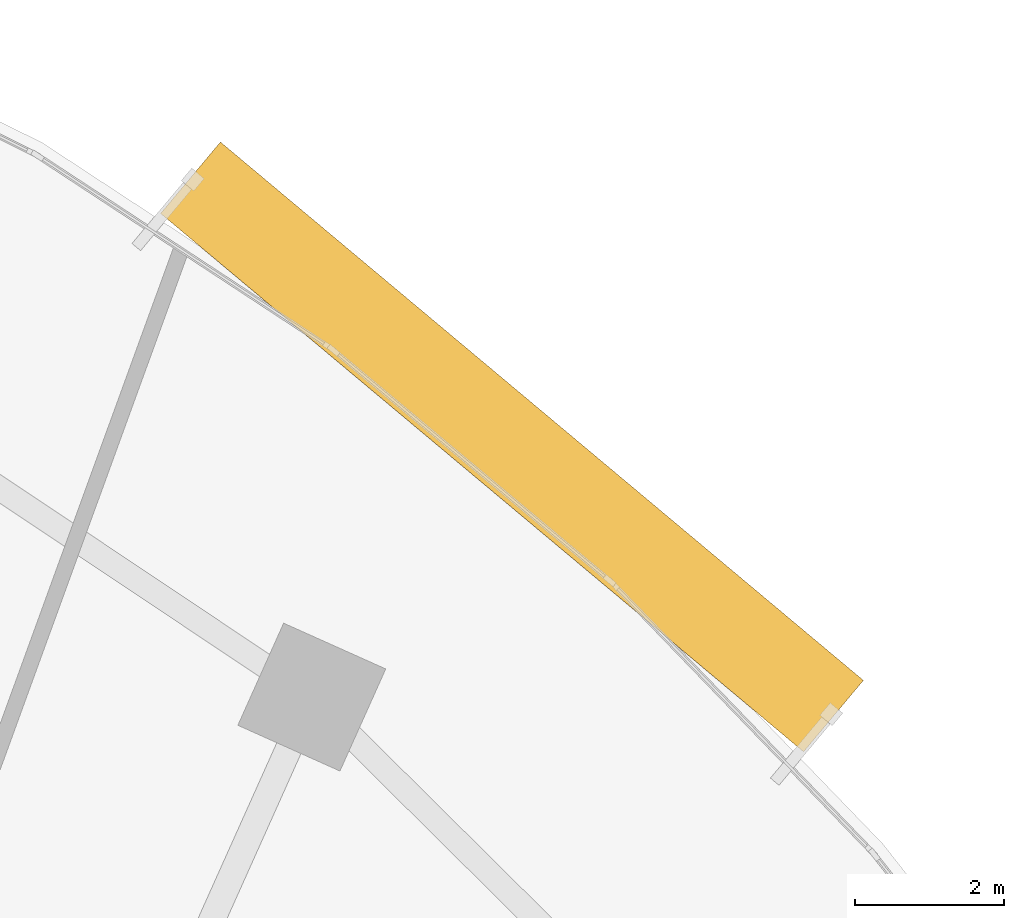
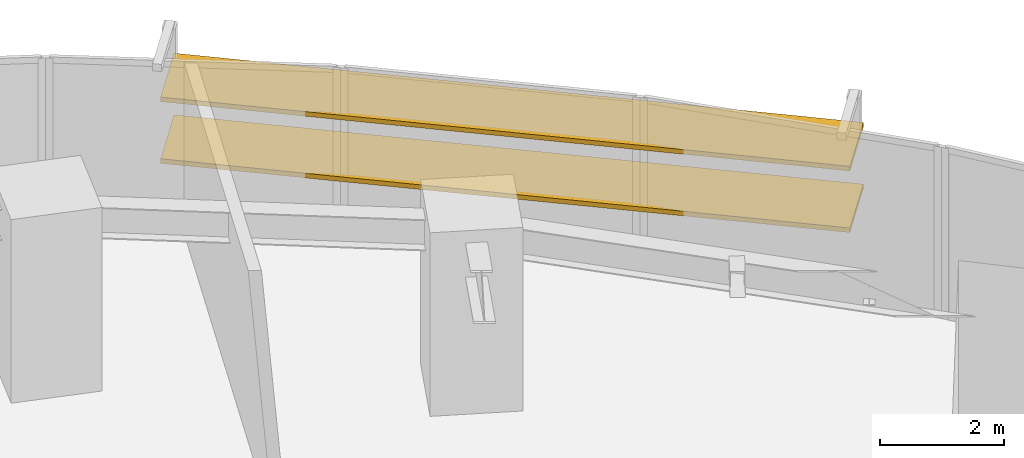
# One storey, part 17 of 17: 2 shading devices.
"""IFC4 building model written with IfcOpenShell, lengths in metres."""

import ifcopenshell
import ifcopenshell.guid

model = None  # the IFC model being written
_history = None  # IfcOwnerHistory: only IFC2X3 demands one
_inside = {}  # id of a spatial element -> (the spatial element, [elements in it])
_under = {}  # id of a project, library or spatial element -> (it, [spatial elements below it])
_declared = {}  # id of a project -> (the project, [libraries it declares])
_typed = {}  # id of a type object -> (the type object, [elements of that type])
_made_of = {}  # id of a material, layer set ... -> (it, [elements and type objects made of it])


def new_model(schema):
    """Start an empty IFC model of exactly this schema.

    Asked for "IFC4X3", IfcOpenShell would pick the latest addendum, in which some entities
    have other attributes; the version numbers below select the first issue.
    IFC2X3 requires an IfcOwnerHistory on every rooted entity: one is made here for all.
    """
    global model, _history
    if schema == "IFC4X3":
        model = ifcopenshell.file(schema_version=(4, 3, 0, 0))
    else:
        model = ifcopenshell.file(schema=schema)
    _inside.clear()
    _under.clear()
    _declared.clear()
    _typed.clear()
    _made_of.clear()
    _history = None
    if model.schema == "IFC2X3":
        org = make("IfcOrganization", Name="unknown")
        user = make(
            "IfcPersonAndOrganization",
            ThePerson=make("IfcPerson", FamilyName="unknown"),
            TheOrganization=org,
        )
        app = make(
            "IfcApplication",
            ApplicationDeveloper=org,
            Version="unknown",
            ApplicationFullName="unknown",
            ApplicationIdentifier="unknown",
        )
        _history = make(
            "IfcOwnerHistory",
            OwningUser=user,
            OwningApplication=app,
            ChangeAction="ADDED",
            CreationDate=0,
        )
    return model


def make(cls, **values):
    """One entity of the class cls with the attributes given. An attribute that is None is left unset."""
    return model.create_entity(
        cls, **{name: value for name, value in values.items() if value is not None}
    )


def rooted(cls, **values):
    """An entity with a GlobalId (a new one), such as an element, a storey or a relation."""
    return make(cls, GlobalId=ifcopenshell.guid.new(), OwnerHistory=_history, **values)


def si_unit(unit_type, name, prefix=None):
    """IfcSIUnit, for example si_unit("LENGTHUNIT", "METRE", prefix="MILLI")."""
    return make("IfcSIUnit", UnitType=unit_type, Prefix=prefix, Name=name)


def assignment(units):
    """IfcUnitAssignment: the units of a project."""
    return None if units is None else make("IfcUnitAssignment", Units=units)


def point(xyz):
    """IfcCartesianPoint."""
    return None if xyz is None else make("IfcCartesianPoint", Coordinates=xyz)


def direction(xyz):
    """IfcDirection."""
    return None if xyz is None else make("IfcDirection", DirectionRatios=xyz)


def frame(location, z_axis=None, x_axis=None):
    """IfcAxis2Placement3D, a coordinate frame: its origin and axes. An axis left out is left unset."""
    return make(
        "IfcAxis2Placement3D",
        Location=point(location),
        Axis=direction(z_axis),
        RefDirection=direction(x_axis),
    )


def frame_2d(location, x_axis=None):
    """IfcAxis2Placement2D, a coordinate frame in the plane: its origin and x axis."""
    return make(
        "IfcAxis2Placement2D", Location=point(location), RefDirection=direction(x_axis)
    )


def origin():
    """The frame at (0, 0, 0) with its axes left unset."""
    return frame((0.0, 0.0, 0.0))


def origin_2d():
    """The frame at (0, 0) in the plane with its x axis left unset."""
    return frame_2d((0.0, 0.0))


def place(relative_to, where):
    """IfcLocalPlacement: puts the frame where relative to a parent placement (None: the world)."""
    return make(
        "IfcLocalPlacement", PlacementRelTo=relative_to, RelativePlacement=where
    )


def context(
    kind, dimensions, precision=None, world=None, true_north=None, identifier=None
):
    """IfcGeometricRepresentationContext, for example the 3D "Model" context."""
    return make(
        "IfcGeometricRepresentationContext",
        ContextIdentifier=identifier,
        ContextType=kind,
        CoordinateSpaceDimension=dimensions,
        Precision=precision,
        WorldCoordinateSystem=world,
        TrueNorth=true_north,
    )


def subcontext(parent, identifier, kind, view, scale=None):
    """IfcGeometricRepresentationSubContext, for example "Body" below "Model"."""
    return make(
        "IfcGeometricRepresentationSubContext",
        ContextIdentifier=identifier,
        ContextType=kind,
        ParentContext=parent,
        TargetScale=scale,
        TargetView=view,
    )


def project(units=None, contexts=None):
    """IfcProject with its units and contexts."""
    return rooted(
        "IfcProject",
        Name="project",
        RepresentationContexts=contexts,
        UnitsInContext=assignment(units),
    )


def spatial(cls, under=None, at=None, **own):
    """A site, building, storey or space (cls), placed at a placement, below another one or the project."""
    s = rooted(cls, ObjectPlacement=at, **own)
    if under is not None:
        _under.setdefault(under.id(), (under, []))[1].append(s)
    return s


def profile(cls, at=None, kind="AREA", **sizes):
    """A parametric profile (cls). Its sizes go by their IFC names, for example OverallWidth=200.0."""
    return make(cls, ProfileType=kind, Position=at, **sizes)


def rectangle(**sizes):
    """IfcRectangleProfileDef."""
    return profile("IfcRectangleProfileDef", **sizes)


def extrude(swept, where, along, depth):
    """IfcExtrudedAreaSolid: the profile swept, set in the frame where, extruded along a direction by depth."""
    return make(
        "IfcExtrudedAreaSolid",
        SweptArea=swept,
        Position=where,
        ExtrudedDirection=direction(along),
        Depth=depth,
    )


def shape(context_of_items, identifier, shape_type, items):
    """IfcShapeRepresentation: the items that make up one representation, for example the "Body"."""
    return make(
        "IfcShapeRepresentation",
        ContextOfItems=context_of_items,
        RepresentationIdentifier=identifier,
        RepresentationType=shape_type,
        Items=items,
    )


def source(mapping_origin, context_of_items, identifier, shape_type, items):
    """IfcRepresentationMap: a shape defined once, which mapped items show again and again."""
    return make(
        "IfcRepresentationMap",
        MappingOrigin=mapping_origin,
        MappedRepresentation=shape(context_of_items, identifier, shape_type, items),
    )


def transform(
    local_origin,
    x_axis=None,
    y_axis=None,
    z_axis=None,
    scale=None,
    scale2=None,
    scale3=None,
    uniform=True,
):
    """IfcCartesianTransformationOperator3D, or its non-uniform kind. x_axis, y_axis, z_axis: its Axis1, 2, 3."""
    if uniform:
        return make(
            "IfcCartesianTransformationOperator3D",
            Axis1=direction(x_axis),
            Axis2=direction(y_axis),
            LocalOrigin=point(local_origin),
            Scale=scale,
            Axis3=direction(z_axis),
        )
    return make(
        "IfcCartesianTransformationOperator3DnonUniform",
        Axis1=direction(x_axis),
        Axis2=direction(y_axis),
        LocalOrigin=point(local_origin),
        Scale=scale,
        Axis3=direction(z_axis),
        Scale2=scale2,
        Scale3=scale3,
    )


def mapped(mapping_source, mapping_target):
    """IfcMappedItem: shows the shape of a source again, moved by a transform."""
    return make(
        "IfcMappedItem", MappingSource=mapping_source, MappingTarget=mapping_target
    )


def material(Name=None, Category=None):
    """IfcMaterial."""
    return make("IfcMaterial", Name=Name, Category=Category)


def material_profile(
    of_material, cross_section, Name=None, Category=None, Priority=None
):
    """IfcMaterialProfile: a cross section and its material."""
    return make(
        "IfcMaterialProfile",
        Name=Name,
        Material=of_material,
        Profile=cross_section,
        Priority=Priority,
        Category=Category,
    )


def profile_set(profiles, Name=None, composite=None):
    """IfcMaterialProfileSet."""
    return make(
        "IfcMaterialProfileSet",
        Name=Name,
        MaterialProfiles=profiles,
        CompositeProfile=composite,
    )


def made_of(thing, what):
    """Note that an element or type object is made of a material, layer set ...; save() writes the relation."""
    if what is not None:
        _made_of.setdefault(what.id(), (what, []))[1].append(thing)
    return thing


def type_object(cls, material=None, **own):
    """A type object (cls), such as IfcWallType, which elements share."""
    return made_of(rooted(cls, **own), material)


def element(
    cls,
    number,
    at=None,
    inside=None,
    cuts=None,
    type_object=None,
    material=None,
    context=None,
    identifier="Body",
    shape_type=None,
    held_by="IfcProductDefinitionShape",
    body=None,
    shapes=None,
    **own,
):
    """One element of the class cls, such as IfcWall. Its Tag is "e" and its number.

    at: its placement. inside: the storey or other place that contains it. cuts: it is an
    opening in that element (IfcRelVoidsElement). A single representation is given by context,
    identifier, shape_type and body (its items); several are given by shapes. held_by: the class
    of the entity that holds the representations. save() writes the other relations.
    """
    e = rooted(cls, Tag="e%d" % number, ObjectPlacement=at, **own)
    if body is not None:
        shapes = [shape(context, identifier, shape_type, body)]
    if shapes is not None:
        e.Representation = make(held_by, Representations=shapes)
    if inside is not None:
        _inside.setdefault(inside.id(), (inside, []))[1].append(e)
    if cuts is not None:
        rooted(
            "IfcRelVoidsElement", RelatingBuildingElement=cuts, RelatedOpeningElement=e
        )
    if type_object is not None:
        _typed.setdefault(type_object.id(), (type_object, []))[1].append(e)
    return made_of(e, material)


def aggregate(whole, parts):
    """IfcRelAggregates: a whole, such as a stair, and the parts it consists of."""
    return rooted("IfcRelAggregates", RelatingObject=whole, RelatedObjects=parts)


def save(model, path):
    """Write the relations noted so far, then the file.

    IfcRelAggregates (storeys below a building ...), IfcRelContainedInSpatialStructure (elements
    in a storey), IfcRelDefinesByType, IfcRelAssociatesMaterial and IfcRelDeclares: one each for
    every whole, place, type object, material and project.
    """
    for whole, parts in _under.values():
        aggregate(whole, parts)
    for where, things in _inside.values():
        rooted(
            "IfcRelContainedInSpatialStructure",
            RelatedElements=things,
            RelatingStructure=where,
        )
    for kind, things in _typed.values():
        rooted("IfcRelDefinesByType", RelatedObjects=things, RelatingType=kind)
    for what, things in _made_of.values():
        rooted("IfcRelAssociatesMaterial", RelatedObjects=things, RelatingMaterial=what)
    for by, libraries in _declared.values():
        rooted("IfcRelDeclares", RelatingContext=by, RelatedDefinitions=libraries)
    model.write(path)


model = new_model("IFC4")

# Units and contexts
model_context = context("Model", 3, precision=1e-05, world=origin(), true_north=direction((0.0, 1.0)))
body_context = subcontext(model_context, "Body", "Model", "MODEL_VIEW")
ifc_project = project(units=[si_unit("LENGTHUNIT", "METRE"), si_unit("AREAUNIT", "SQUARE_METRE"), si_unit("VOLUMEUNIT", "CUBIC_METRE"), si_unit("PLANEANGLEUNIT", "RADIAN"), si_unit("MASSUNIT", "GRAM", prefix="KILO")], contexts=[model_context])

# Site, building, storey
site_placement = place(None, origin())
site = spatial("IfcSite", under=ifc_project, at=site_placement, CompositionType="ELEMENT")
building_placement = place(site_placement, origin())
building = spatial("IfcBuilding", under=site, at=building_placement, Name="Breltana Convention Tower", CompositionType="ELEMENT")
storey_placement = place(building_placement, frame((0.0, 0.0, 75.0)))
storey = spatial("IfcBuildingStorey", under=building, at=storey_placement, Name="L17", CompositionType="ELEMENT", Elevation=75.0)

# Shading devices
ifc_material = material(Name="Limestone Warm Buff Honed", Category="masonry")
ifc_material_profile = material_profile(ifc_material, rectangle(XDim=1.25, YDim=0.090087890625, at=origin_2d()), Name="STN-LVR-1250X90")
ifc_profile_set = profile_set([ifc_material_profile], Name="Limestone Warm Buff Honed")
shading_device_type = type_object("IfcShadingDeviceType", Name="SHD-OUTER-SKIN-LIMESTONE-1250", PredefinedType="JALOUSIE", material=ifc_profile_set)
shared_shape = source(origin(), body_context, "Body", "SweptSolid", [
    extrude(rectangle(XDim=1.25, YDim=0.090087890625, at=origin_2d()), origin(), (0.0, 0.0, 1.0), 11.246337890625),
])
for number, where, z_axis, x_axis, name in (
    (1, (67.28369140625, 75.598388671875, 1.209716796875), (0.766719155588, -0.641982660556, 0.0), (0.641982660556, 0.766719155588, 0.0), "L17 outer skin warm limestone louvre 2.1"),
    (2, (67.28369140625, 75.598388671875, 2.419189453125), (0.766719155588, -0.641982660556, 0.0), (0.641982660556, 0.766719155588, 0.0), "L17 outer skin warm limestone louvre 2.2"),
):
    element("IfcShadingDevice", number, at=place(storey_placement, frame(where, z_axis=z_axis, x_axis=x_axis)), inside=storey, type_object=shading_device_type, Name=name, PredefinedType="JALOUSIE", context=body_context, shape_type="MappedRepresentation", body=[
        mapped(shared_shape, transform((0.0, 0.0, 0.0), scale=1.0)),
    ])

save(model, "model.ifc")
